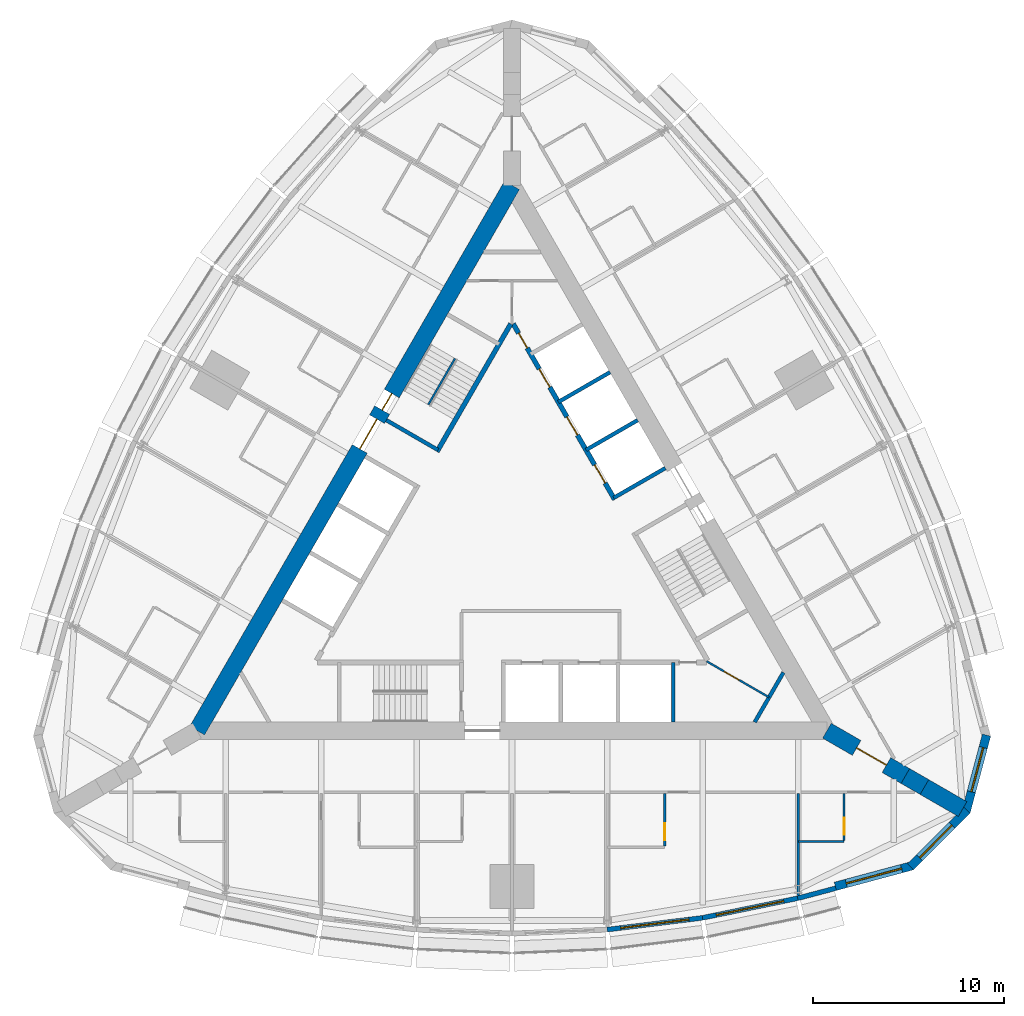
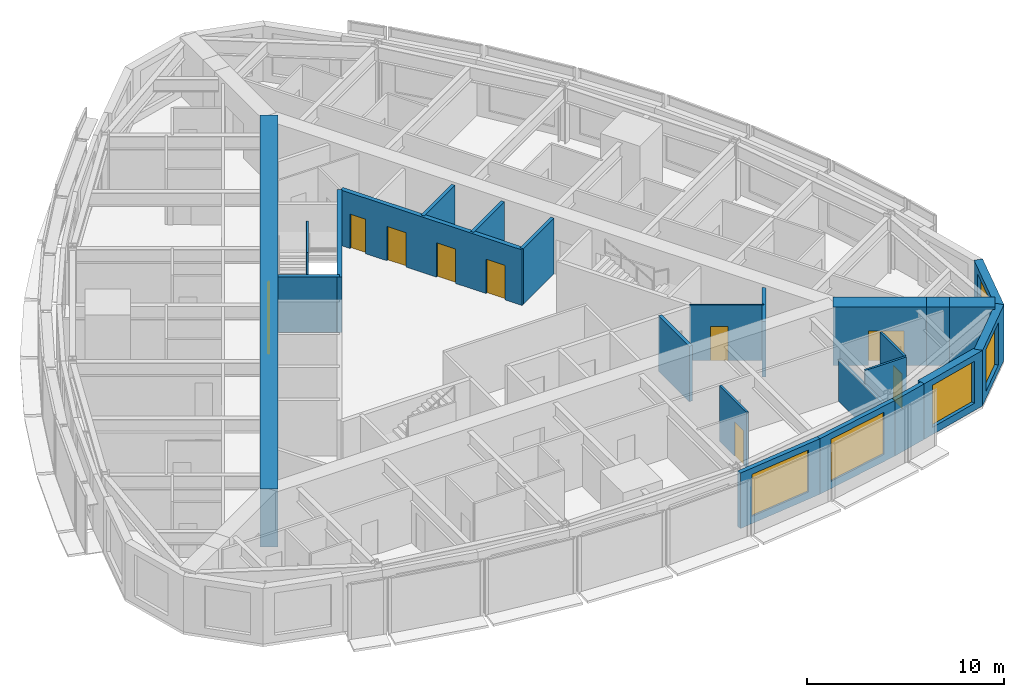
# One storey, part 11 of 15: 24 walls, 10 doors, 5 windows, 15 openings.
"""IFC4 building model written with IfcOpenShell, lengths in metres."""

from ifc_helpers import new_model, si_unit, direction, frame, frame_2d, origin, place, context, subcontext, project, spatial, polyline, rectangle, outline, extrude, material, layer, layer_set, type_object, element, fill, save


model = new_model("IFC4")

# Units and contexts
model_context = context("Model", 3, precision=1e-05, world=origin(), true_north=direction((0.0, 1.0)))
body_context = subcontext(model_context, "Body", "Model", "MODEL_VIEW")
ifc_project = project(units=[si_unit("LENGTHUNIT", "METRE"), si_unit("AREAUNIT", "SQUARE_METRE"), si_unit("VOLUMEUNIT", "CUBIC_METRE"), si_unit("PLANEANGLEUNIT", "RADIAN"), si_unit("MASSUNIT", "GRAM", prefix="KILO")], contexts=[model_context])

# Site, building, storey
site_placement = place(None, origin())
site = spatial("IfcSite", under=ifc_project, at=site_placement, CompositionType="ELEMENT")
building_placement = place(site_placement, origin())
building = spatial("IfcBuilding", under=site, at=building_placement, Name="Trikona Tower", CompositionType="ELEMENT")
storey_placement = place(building_placement, frame((0.0, 0.0, 200.89990234375)))
storey = spatial("IfcBuildingStorey", under=building, at=storey_placement, Name="L53", CompositionType="ELEMENT", Elevation=200.89990234375)

# Wall, opening, door
ifc_material_1 = material(Name="Metal stud and cement board", Category="gypsum")
ifc_layer_1 = layer(ifc_material_1, 0.1201171875)
ifc_layer_set_1 = layer_set([ifc_layer_1], Name="Bathroom wall 120")
wall_type_1 = type_object("IfcWallType", Name="Bathroom wall 120", PredefinedType="PLUMBINGWALL", material=ifc_layer_set_1)
wall_1_placement = place(storey_placement, frame((8.0, -12.826416015625, 0.0), z_axis=(0.0, 0.0, 1.0), x_axis=(0.0, -1.0, 0.0)))
wall_1 = element("IfcWall", 1, at=wall_1_placement, inside=storey, type_object=wall_type_1, Name="Bathroom wall 5304", PredefinedType="PLUMBINGWALL", context=body_context, shape_type="SweptSolid", body=[
    extrude(rectangle(XDim=2.739990234375, YDim=0.1201171875, at=frame_2d((1.3701171875, 0.0))), origin(), (0.0, 0.0, 1.0), 3.43505859375),
])
opening_1_placement = place(wall_1_placement, frame((1.550048828125, 0.0, 0.0)))
opening_1 = element("IfcOpeningElement", 2, at=opening_1_placement, cuts=wall_1, Name="Opening D2", PredefinedType="OPENING", context=body_context, shape_type="SweptSolid", body=[
    extrude(rectangle(XDim=0.89990234375, YDim=2.1298828125, at=frame_2d((0.449951171875, 1.06494140625))), frame((0.0, 0.070068359375, 0.0), z_axis=(0.0, -1.0, 0.0), x_axis=(1.0, 0.0, 0.0)), (0.0, 0.0, 1.0), 0.14013671875),
])
ifc_material_2 = material(Name="Steel door frame with solid-core timber leaf", Category="steel")
door_type_1 = type_object("IfcDoorType", Name="Bathroom door 900x2130", OperationType="SLIDING_TO_LEFT", PredefinedType="DOOR", material=ifc_material_2)
door_1_placement = place(opening_1_placement, origin())
door_1 = element("IfcDoor", 3, at=door_1_placement, inside=storey, type_object=door_type_1, Name="Bathroom door 5304", OperationType="SLIDING_TO_LEFT", OverallHeight=2.1298828125, OverallWidth=0.89990234375, PredefinedType="DOOR", context=body_context, shape_type="SweptSolid", body=[
    extrude(rectangle(XDim=0.89990234375, YDim=2.1298828125, at=frame_2d((0.449951171875, 1.06494140625))), frame((0.0, 0.02490234375, 0.0), z_axis=(0.0, -1.0, 0.0), x_axis=(1.0, 0.0, 0.0)), (0.0, 0.0, 1.0), 0.050048828125),
])
fill(opening_1, door_1)

# Wall
wall_2_placement = place(storey_placement, frame((15.0, -15.326416015625, 0.0), z_axis=(0.0, 0.0, 1.0), x_axis=(1.0, 0.0, 0.0)))
element("IfcWall", 4, at=wall_2_placement, inside=storey, type_object=wall_type_1, Name="Bathroom wall 5305", PredefinedType="PLUMBINGWALL", context=body_context, shape_type="SweptSolid", body=[
    extrude(rectangle(XDim=2.39990234375, YDim=0.1201171875, at=frame_2d((1.199951171875, 0.0))), origin(), (0.0, 0.0, 1.0), 3.43505859375),
])

# Wall, opening, door
wall_3_placement = place(storey_placement, frame((17.39990234375, -12.826416015625, 0.0), z_axis=(0.0, 0.0, 1.0), x_axis=(0.0, -1.0, 0.0)))
wall_3 = element("IfcWall", 5, at=wall_3_placement, inside=storey, type_object=wall_type_1, Name="Bathroom wall 5305", PredefinedType="PLUMBINGWALL", context=body_context, shape_type="SweptSolid", body=[
    extrude(rectangle(XDim=2.43994140625, YDim=0.1201171875, at=frame_2d((1.219970703125, 0.0))), origin(), (0.0, 0.0, 1.0), 3.43505859375),
])
opening_2_placement = place(wall_3_placement, frame((1.25, 0.0, 0.0)))
opening_2 = element("IfcOpeningElement", 6, at=opening_2_placement, cuts=wall_3, Name="Opening D2", PredefinedType="OPENING", context=body_context, shape_type="SweptSolid", body=[
    extrude(rectangle(XDim=0.89990234375, YDim=2.1298828125, at=frame_2d((0.449951171875, 1.06494140625))), frame((0.0, 0.070068359375, 0.0), z_axis=(0.0, -1.0, 0.0), x_axis=(1.0, 0.0, 0.0)), (0.0, 0.0, 1.0), 0.14013671875),
])
door_2_placement = place(opening_2_placement, origin())
door_2 = element("IfcDoor", 7, at=door_2_placement, inside=storey, type_object=door_type_1, Name="Bathroom door 5305", OperationType="SLIDING_TO_LEFT", OverallHeight=2.1298828125, OverallWidth=0.89990234375, PredefinedType="DOOR", context=body_context, shape_type="SweptSolid", body=[
    extrude(rectangle(XDim=0.89990234375, YDim=2.1298828125, at=frame_2d((0.449951171875, 1.06494140625))), frame((0.0, 0.02490234375, 0.0), z_axis=(0.0, -1.0, 0.0), x_axis=(1.0, 0.0, 0.0)), (0.0, 0.0, 1.0), 0.050048828125),
])
fill(opening_2, door_2)

# Wall, opening, window
ifc_material_3 = material(Name="Brick-faced precast concrete", Category="masonry")
ifc_layer_2 = layer(ifc_material_3, 0.449951171875)
ifc_layer_set_2 = layer_set([ifc_layer_2], Name="Brick-faced corner wall 450")
wall_type_2 = type_object("IfcWallType", Name="Brick-faced corner wall 450", PredefinedType="SOLIDWALL", material=ifc_layer_set_2)
wall_4_placement = place(storey_placement, frame((16.94189453125, -17.6806640625, 0.0), z_axis=(0.0, 0.0, 1.0), x_axis=(0.965920442324, 0.258839137498, 0.0)))
wall_4 = element("IfcWall", 8, at=wall_4_placement, inside=storey, type_object=wall_type_2, Name="External wall L53-08", PredefinedType="SOLIDWALL", context=body_context, shape_type="SweptSolid", body=[
    extrude(rectangle(XDim=4.18408203125, YDim=0.449951171875, at=frame_2d((2.092041015625, 0.0))), origin(), (0.0, 0.0, 1.0), 3.43505859375),
])
opening_3_placement = place(wall_4_placement, frame((0.592041015625, 0.0, 0.449951171875)))
opening_3 = element("IfcOpeningElement", 9, at=opening_3_placement, cuts=wall_4, Name="Opening W3026", PredefinedType="OPENING", context=body_context, shape_type="SweptSolid", body=[
    extrude(rectangle(XDim=3.0, YDim=2.60009765625, at=frame_2d((1.5, 1.300048828125))), frame((0.0, 0.23486328125, 0.0), z_axis=(0.0, -1.0, 0.0), x_axis=(1.0, 0.0, 0.0)), (0.0, 0.0, 1.0), 0.469970703125),
])
ifc_material_4 = material(Name="Aluminium-framed double glazing", Category="aluminium")
window_type_1 = type_object("IfcWindowType", Name="Window 3000x2600", PartitioningType="SINGLE_PANEL", PredefinedType="WINDOW", material=ifc_material_4)
window_1_placement = place(opening_3_placement, origin())
window_1 = element("IfcWindow", 10, at=window_1_placement, inside=storey, type_object=window_type_1, Name="Window 5305", OverallHeight=2.60009765625, OverallWidth=3.0, PartitioningType="SINGLE_PANEL", PredefinedType="WINDOW", context=body_context, shape_type="SweptSolid", body=[
    extrude(rectangle(XDim=3.0, YDim=2.60009765625, at=frame_2d((1.5, 1.300048828125))), frame((0.0, 0.030029296875, 0.0), z_axis=(0.0, -1.0, 0.0), x_axis=(1.0, 0.0, 0.0)), (0.0, 0.0, 1.0), 0.06005859375),
])
fill(opening_3, window_1)

wall_5_placement = place(storey_placement, frame((20.88232421875, -16.656005859375, 0.0), z_axis=(0.0, 0.0, 1.0), x_axis=(0.707077605902, 0.707135955267, 0.0)))
wall_5 = element("IfcWall", 11, at=wall_5_placement, inside=storey, type_object=wall_type_2, Name="External wall L53-09", PredefinedType="SOLIDWALL", context=body_context, shape_type="SweptSolid", body=[
    extrude(outline(polyline([(4.18408203125, 0.22509765625), (4.125244140625, 0.22509765625), (3.633056640625, 0.093017578125), (3.59765625, 0.22509765625), (0.0, 0.22509765625), (0.0, -0.22509765625), (4.18408203125, -0.22509765625), (4.18408203125, 0.22509765625)])), origin(), (0.0, 0.0, 1.0), 3.43505859375),
])
opening_4_placement = place(wall_5_placement, frame((0.673828125, 0.0, 0.449951171875)))
opening_4 = element("IfcOpeningElement", 12, at=opening_4_placement, cuts=wall_5, Name="Opening W2426", PredefinedType="OPENING", context=body_context, shape_type="SweptSolid", body=[
    extrude(rectangle(XDim=2.39990234375, YDim=2.60009765625, at=frame_2d((1.199951171875, 1.300048828125))), frame((0.0, 0.23486328125, 0.0), z_axis=(0.0, -1.0, 0.0), x_axis=(1.0, 0.0, 0.0)), (0.0, 0.0, 1.0), 0.469970703125),
])
ifc_material_5 = material(Name="Aluminium-framed double glazing", Category="aluminium")
window_type_2 = type_object("IfcWindowType", Name="Window 2400x2600", PartitioningType="SINGLE_PANEL", PredefinedType="WINDOW", material=ifc_material_5)
window_2_placement = place(opening_4_placement, origin())
window_2 = element("IfcWindow", 13, at=window_2_placement, inside=storey, type_object=window_type_2, Name="Window 5305", OverallHeight=2.60009765625, OverallWidth=2.39990234375, PartitioningType="SINGLE_PANEL", PredefinedType="WINDOW", context=body_context, shape_type="SweptSolid", body=[
    extrude(rectangle(XDim=2.39990234375, YDim=2.60009765625, at=frame_2d((1.199951171875, 1.300048828125))), frame((0.0, 0.030029296875, 0.0), z_axis=(0.0, -1.0, 0.0), x_axis=(1.0, 0.0, 0.0)), (0.0, 0.0, 1.0), 0.06005859375),
])
fill(opening_4, window_2)

wall_6_placement = place(storey_placement, frame((23.78271484375, -13.798095703125, 0.0), z_axis=(0.0, 0.0, 1.0), x_axis=(0.258799282522, 0.96593112144, 0.0)))
wall_6 = element("IfcWall", 14, at=wall_6_placement, inside=storey, type_object=wall_type_2, Name="External wall L53-10", PredefinedType="SOLIDWALL", context=body_context, shape_type="SweptSolid", body=[
    extrude(outline(polyline([(4.183837890625, 0.22509765625), (0.58642578125, 0.22509765625), (0.551025390625, 0.09326171875), (0.059326171875, 0.22509765625), (0.0, 0.22509765625), (0.0, -0.22509765625), (4.183837890625, -0.22509765625), (4.183837890625, 0.22509765625)])), origin(), (0.0, 0.0, 1.0), 3.43505859375),
])
opening_5_placement = place(wall_6_placement, frame((1.110107421875, 0.0, 0.449951171875)))
opening_5 = element("IfcOpeningElement", 15, at=opening_5_placement, cuts=wall_6, Name="Opening W2426", PredefinedType="OPENING", context=body_context, shape_type="SweptSolid", body=[
    extrude(rectangle(XDim=2.39990234375, YDim=2.60009765625, at=frame_2d((1.199951171875, 1.300048828125))), frame((0.0, 0.23486328125, 0.0), z_axis=(0.0, -1.0, 0.0), x_axis=(1.0, 0.0, 0.0)), (0.0, 0.0, 1.0), 0.469970703125),
])
window_3_placement = place(opening_5_placement, origin())
window_3 = element("IfcWindow", 16, at=window_3_placement, inside=storey, type_object=window_type_2, Name="Window 5306", OverallHeight=2.60009765625, OverallWidth=2.39990234375, PartitioningType="SINGLE_PANEL", PredefinedType="WINDOW", context=body_context, shape_type="SweptSolid", body=[
    extrude(rectangle(XDim=2.39990234375, YDim=2.60009765625, at=frame_2d((1.199951171875, 1.300048828125))), frame((0.0, 0.030029296875, 0.0), z_axis=(0.0, -1.0, 0.0), x_axis=(1.0, 0.0, 0.0)), (0.0, 0.0, 1.0), 0.06005859375),
])
fill(opening_5, window_3)

# Wall, opening, door
ifc_material_6 = material(Name="Concrete f'c 10000 psi", Category="concrete")
ifc_layer_3 = layer(ifc_material_6, 0.89990234375)
ifc_layer_set_3 = layer_set([ifc_layer_3], Name="Buttress wall 900")
wall_type_3 = type_object("IfcWallType", Name="Buttress wall 900", PredefinedType="SHEAR", material=ifc_layer_set_3)
wall_7_placement = place(storey_placement, frame((16.5, -9.5263671875, 0.0), z_axis=(0.0, 0.0, 1.0), x_axis=(0.866031398331, -0.499989616998, 0.0)))
wall_7 = element("IfcWall", 17, at=wall_7_placement, inside=storey, type_object=wall_type_3, Name="Buttress wall 1", PredefinedType="SHEAR", context=body_context, shape_type="SweptSolid", body=[
    extrude(rectangle(XDim=4.74609375, YDim=0.89990234375, at=frame_2d((2.373046875, 0.0))), origin(), (0.0, 0.0, 1.0), 3.60009765625),
])
opening_6_placement = place(wall_7_placement, frame((1.800048828125, 0.0, 0.0)))
opening_6 = element("IfcOpeningElement", 18, at=opening_6_placement, cuts=wall_7, Name="Opening D10", PredefinedType="OPENING", context=body_context, shape_type="SweptSolid", body=[
    extrude(rectangle(XDim=1.800048828125, YDim=2.1298828125, at=frame_2d((0.89990234375, 1.06494140625))), frame((0.0, 0.4599609375, 0.0), z_axis=(0.0, -1.0, 0.0), x_axis=(1.0, 0.0, 0.0)), (0.0, 0.0, 1.0), 0.919921875),
])
ifc_material_7 = material(Name="Hollow metal door and frame", Category="steel")
door_type_2 = type_object("IfcDoorType", Name="Cross-corridor door pair 1800x2130", OperationType="DOUBLE_DOOR_DOUBLE_SWING", PredefinedType="DOOR", material=ifc_material_7)
door_3_placement = place(opening_6_placement, origin())
door_3 = element("IfcDoor", 19, at=door_3_placement, inside=storey, type_object=door_type_2, Name="Cross-corridor door 1", OperationType="DOUBLE_DOOR_DOUBLE_SWING", OverallHeight=2.1298828125, OverallWidth=1.800048828125, PredefinedType="DOOR", context=body_context, shape_type="SweptSolid", body=[
    extrude(rectangle(XDim=1.800048828125, YDim=2.1298828125, at=frame_2d((0.89990234375, 1.06494140625))), frame((0.0, 0.02490234375, 0.0), z_axis=(0.0, -1.0, 0.0), x_axis=(1.0, 0.0, 0.0)), (0.0, 0.0, 1.0), 0.050048828125),
])
fill(opening_6, door_3)

# Walls
wall_8_placement = place(storey_placement, frame((20.6103515625, -11.8994140625, 0.0), z_axis=(0.0, 0.0, 1.0), x_axis=(0.866009537788, -0.500027479704, 0.0)))
element("IfcWall", 20, at=wall_8_placement, inside=storey, type_object=wall_type_3, Name="Buttress wall 1 part 2", PredefinedType="SHEAR", context=body_context, shape_type="SweptSolid", body=[
    extrude(rectangle(XDim=1.15478515625, YDim=0.89990234375, at=frame_2d((0.577392578125, 0.0))), origin(), (0.0, 0.0, 1.0), 3.60009765625),
])
wall_9_placement = place(storey_placement, frame((21.6103515625, -12.476806640625, 0.0), z_axis=(0.0, 0.0, 1.0), x_axis=(0.866055313784, -0.499948190782, 0.0)))
element("IfcWall", 21, at=wall_9_placement, inside=storey, type_object=wall_type_3, Name="Buttress wall 1 part 3", PredefinedType="SHEAR", context=body_context, shape_type="SweptSolid", body=[
    extrude(rectangle(XDim=2.309326171875, YDim=0.89990234375, at=frame_2d((1.15478515625, 0.0))), origin(), (0.0, 0.0, 1.0), 3.60009765625),
])

# Wall, openings, doors
ifc_material_8 = material(Name="Concrete f'c 10000 psi", Category="concrete")
ifc_layer_4 = layer(ifc_material_8, 0.89990234375)
ifc_layer_set_4 = layer_set([ifc_layer_4], Name="Core wall 900")
wall_type_4 = type_object("IfcWallType", Name="Core wall 900", PredefinedType="SHEAR", material=ifc_layer_set_4)
wall_10_placement = place(storey_placement, frame((0.0, 19.052490234375, 0.0), z_axis=(0.0, 0.0, 1.0), x_axis=(-0.499999749417, -0.866025548458, 0.0)))
wall_10 = element("IfcWall", 22, at=wall_10_placement, inside=storey, type_object=wall_type_4, Name="Core wall C", PredefinedType="SHEAR", context=body_context, shape_type="SweptSolid", body=[
    extrude(rectangle(XDim=33.0, YDim=0.89990234375, at=frame_2d((16.5, 0.0))), origin(), (0.0, 0.0, 1.0), 3.60009765625),
])
opening_7_placement = place(wall_10_placement, frame((14.14990234375, 0.0, 0.0)))
opening_7 = element("IfcOpeningElement", 23, at=opening_7_placement, cuts=wall_10, Name="Opening D6", PredefinedType="OPENING", context=body_context, shape_type="SweptSolid", body=[
    extrude(rectangle(XDim=1.800048828125, YDim=2.1298828125, at=frame_2d((0.89990234375, 1.06494140625))), frame((0.0, 0.4599609375, 0.0), z_axis=(0.0, -1.0, 0.0), x_axis=(1.0, 0.0, 0.0)), (0.0, 0.0, 1.0), 0.919921875),
])
opening_8_placement = place(wall_10_placement, frame((12.60009765625, 0.0, 0.0)))
opening_8 = element("IfcOpeningElement", 24, at=opening_8_placement, cuts=wall_10, Name="Opening D5", PredefinedType="OPENING", context=body_context, shape_type="SweptSolid", body=[
    extrude(rectangle(XDim=1.0, YDim=2.1298828125, at=frame_2d((0.5, 1.06494140625))), frame((0.0, 0.4599609375, 0.0), z_axis=(0.0, -1.0, 0.0), x_axis=(1.0, 0.0, 0.0)), (0.0, 0.0, 1.0), 0.919921875),
])
ifc_material_9 = material(Name="Hollow metal door and frame", Category="steel")
door_type_3 = type_object("IfcDoorType", Name="Lobby door pair 1800x2130", OperationType="DOUBLE_DOOR_SINGLE_SWING", PredefinedType="DOOR", material=ifc_material_9)
door_4_placement = place(opening_7_placement, origin())
door_4 = element("IfcDoor", 25, at=door_4_placement, inside=storey, type_object=door_type_3, Name="Lift lobby door C", OperationType="DOUBLE_DOOR_SINGLE_SWING", OverallHeight=2.1298828125, OverallWidth=1.800048828125, PredefinedType="DOOR", context=body_context, shape_type="SweptSolid", body=[
    extrude(rectangle(XDim=1.800048828125, YDim=2.1298828125, at=frame_2d((0.89990234375, 1.06494140625))), frame((0.0, 0.02490234375, 0.0), z_axis=(0.0, -1.0, 0.0), x_axis=(1.0, 0.0, 0.0)), (0.0, 0.0, 1.0), 0.050048828125),
])
fill(opening_7, door_4)
ifc_material_10 = material(Name="Hollow metal door and frame", Category="steel")
door_type_4 = type_object("IfcDoorType", Name="Stair door 1000x2130", OperationType="SINGLE_SWING_LEFT", PredefinedType="DOOR", material=ifc_material_10)
door_5_placement = place(opening_8_placement, origin())
door_5 = element("IfcDoor", 26, at=door_5_placement, inside=storey, type_object=door_type_4, Name="Stair C door", OperationType="SINGLE_SWING_RIGHT", OverallHeight=2.1298828125, OverallWidth=1.0, PredefinedType="DOOR", context=body_context, shape_type="SweptSolid", body=[
    extrude(rectangle(XDim=1.0, YDim=2.1298828125, at=frame_2d((0.5, 1.06494140625))), frame((0.0, 0.02490234375, 0.0), z_axis=(0.0, -1.0, 0.0), x_axis=(1.0, 0.0, 0.0)), (0.0, 0.0, 1.0), 0.050048828125),
])
fill(opening_8, door_5)

ifc_material_11 = material(Name="Concrete f'c 8000 psi", Category="concrete")
ifc_layer_5 = layer(ifc_material_11, 0.25)
ifc_layer_set_5 = layer_set([ifc_layer_5], Name="Hub wall 250")
wall_type_5 = type_object("IfcWallType", Name="Hub wall 250", PredefinedType="SOLIDWALL", material=ifc_layer_set_5)
wall_11_placement = place(storey_placement, frame((5.37890625, 2.5859375, 0.0), z_axis=(0.0, 0.0, 1.0), x_axis=(-0.500001375892, 0.866024609411, 0.0)))
wall_11 = element("IfcWall", 27, at=wall_11_placement, inside=storey, type_object=wall_type_5, Name="Lift lobby wall B2", PredefinedType="SOLIDWALL", context=body_context, shape_type="SweptSolid", body=[
    extrude(rectangle(XDim=10.6328125, YDim=0.25, at=frame_2d((5.31640625, 0.0))), origin(), (0.0, 0.0, 1.0), 3.43505859375),
])
opening_9_placement = place(wall_11_placement, frame((9.1640625, 0.0, 0.0)))
opening_9 = element("IfcOpeningElement", 28, at=opening_9_placement, cuts=wall_11, Name="Opening D14", PredefinedType="OPENING", context=body_context, shape_type="SweptSolid", body=[
    extrude(rectangle(XDim=0.89990234375, YDim=2.1298828125, at=frame_2d((0.449951171875, 1.06494140625))), frame((0.0, 0.135009765625, 0.0), z_axis=(0.0, -1.0, 0.0), x_axis=(1.0, 0.0, 0.0)), (0.0, 0.0, 1.0), 0.27001953125),
])
opening_10_placement = place(wall_11_placement, frame((1.0, 0.0, 0.0)))
opening_10 = element("IfcOpeningElement", 29, at=opening_10_placement, cuts=wall_11, Name="Opening LD", PredefinedType="OPENING", context=body_context, shape_type="SweptSolid", body=[
    extrude(rectangle(XDim=1.10009765625, YDim=2.1298828125, at=frame_2d((0.550048828125, 1.06494140625))), frame((0.0, 0.135009765625, 0.0), z_axis=(0.0, -1.0, 0.0), x_axis=(1.0, 0.0, 0.0)), (0.0, 0.0, 1.0), 0.27001953125),
])
opening_11_placement = place(wall_11_placement, frame((3.89990234375, 0.0, 0.0)))
opening_11 = element("IfcOpeningElement", 30, at=opening_11_placement, cuts=wall_11, Name="Opening LD", PredefinedType="OPENING", context=body_context, shape_type="SweptSolid", body=[
    extrude(rectangle(XDim=1.10009765625, YDim=2.1298828125, at=frame_2d((0.550048828125, 1.06494140625))), frame((0.0, 0.135009765625, 0.0), z_axis=(0.0, -1.0, 0.0), x_axis=(1.0, 0.0, 0.0)), (0.0, 0.0, 1.0), 0.27001953125),
])
opening_12_placement = place(wall_11_placement, frame((6.800048828125, 0.0, 0.0)))
opening_12 = element("IfcOpeningElement", 31, at=opening_12_placement, cuts=wall_11, Name="Opening LD", PredefinedType="OPENING", context=body_context, shape_type="SweptSolid", body=[
    extrude(rectangle(XDim=1.10009765625, YDim=2.1298828125, at=frame_2d((0.550048828125, 1.06494140625))), frame((0.0, 0.135009765625, 0.0), z_axis=(0.0, -1.0, 0.0), x_axis=(1.0, 0.0, 0.0)), (0.0, 0.0, 1.0), 0.27001953125),
])
ifc_material_12 = material(Name="Stainless steel lift landing door", Category="steel")
door_type_5 = type_object("IfcDoorType", Name="Lift landing door 1100x2130", OperationType="DOUBLE_DOOR_SLIDING", PredefinedType="USERDEFINED", material=ifc_material_12)
door_6_placement = place(opening_10_placement, origin())
door_6 = element("IfcDoor", 32, at=door_6_placement, inside=storey, type_object=door_type_5, Name="Lift landing door L3-1", ObjectType="LIFT LANDING DOOR", OperationType="DOUBLE_DOOR_SLIDING", OverallHeight=2.1298828125, OverallWidth=1.10009765625, PredefinedType="USERDEFINED", context=body_context, shape_type="SweptSolid", body=[
    extrude(rectangle(XDim=1.10009765625, YDim=2.1298828125, at=frame_2d((0.550048828125, 1.06494140625))), frame((0.0, 0.02490234375, 0.0), z_axis=(0.0, -1.0, 0.0), x_axis=(1.0, 0.0, 0.0)), (0.0, 0.0, 1.0), 0.050048828125),
])
fill(opening_10, door_6)
door_7_placement = place(opening_11_placement, origin())
door_7 = element("IfcDoor", 33, at=door_7_placement, inside=storey, type_object=door_type_5, Name="Lift landing door L3-2", ObjectType="LIFT LANDING DOOR", OperationType="DOUBLE_DOOR_SLIDING", OverallHeight=2.1298828125, OverallWidth=1.10009765625, PredefinedType="USERDEFINED", context=body_context, shape_type="SweptSolid", body=[
    extrude(rectangle(XDim=1.10009765625, YDim=2.1298828125, at=frame_2d((0.550048828125, 1.06494140625))), frame((0.0, 0.02490234375, 0.0), z_axis=(0.0, -1.0, 0.0), x_axis=(1.0, 0.0, 0.0)), (0.0, 0.0, 1.0), 0.050048828125),
])
fill(opening_11, door_7)
door_8_placement = place(opening_12_placement, origin())
door_8 = element("IfcDoor", 34, at=door_8_placement, inside=storey, type_object=door_type_5, Name="Lift landing door L3-3", ObjectType="LIFT LANDING DOOR", OperationType="DOUBLE_DOOR_SLIDING", OverallHeight=2.1298828125, OverallWidth=1.10009765625, PredefinedType="USERDEFINED", context=body_context, shape_type="SweptSolid", body=[
    extrude(rectangle(XDim=1.10009765625, YDim=2.1298828125, at=frame_2d((0.550048828125, 1.06494140625))), frame((0.0, 0.02490234375, 0.0), z_axis=(0.0, -1.0, 0.0), x_axis=(1.0, 0.0, 0.0)), (0.0, 0.0, 1.0), 0.050048828125),
])
fill(opening_12, door_8)
ifc_material_13 = material(Name="Hollow metal door and frame", Category="steel")
door_type_6 = type_object("IfcDoorType", Name="Service room door 900x2130", OperationType="SINGLE_SWING_LEFT", PredefinedType="DOOR", material=ifc_material_13)
door_9_placement = place(opening_9_placement, origin())
door_9 = element("IfcDoor", 35, at=door_9_placement, inside=storey, type_object=door_type_6, Name="Door Housekeeping store HKS", OperationType="SINGLE_SWING_RIGHT", OverallHeight=2.1298828125, OverallWidth=0.89990234375, PredefinedType="DOOR", context=body_context, shape_type="SweptSolid", body=[
    extrude(rectangle(XDim=0.89990234375, YDim=2.1298828125, at=frame_2d((0.449951171875, 1.06494140625))), frame((0.0, 0.02490234375, 0.0), z_axis=(0.0, -1.0, 0.0), x_axis=(1.0, 0.0, 0.0)), (0.0, 0.0, 1.0), 0.050048828125),
])
fill(opening_9, door_9)

# Wall
wall_12_placement = place(storey_placement, frame((-0.0625, 11.794189453125, 0.0), z_axis=(0.0, 0.0, 1.0), x_axis=(-0.500006680225, -0.86602154692, 0.0)))
element("IfcWall", 36, at=wall_12_placement, inside=storey, type_object=wall_type_5, Name="Lift lobby wall C1", PredefinedType="SOLIDWALL", context=body_context, shape_type="SweptSolid", body=[
    extrude(rectangle(XDim=7.73291015625, YDim=0.25, at=frame_2d((3.866455078125, 0.0))), origin(), (0.0, 0.0, 1.0), 3.43505859375),
])

# Wall, opening, window
ifc_material_14 = material(Name="Insulated precast concrete spandrel panel", Category="concrete")
ifc_layer_6 = layer(ifc_material_14, 0.25)
ifc_layer_set_6 = layer_set([ifc_layer_6], Name="Inner skin wall 250")
wall_type_6 = type_object("IfcWallType", Name="Inner skin wall 250", PredefinedType="STANDARD", material=ifc_layer_set_6)
wall_13_placement = place(storey_placement, frame((4.984619140625, -19.947998046875, 0.0), z_axis=(0.0, 0.0, 1.0), x_axis=(0.992449874964, 0.12265090984, 0.0)))
wall_13 = element("IfcWall", 37, at=wall_13_placement, inside=storey, type_object=wall_type_6, Name="External wall L53-05", PredefinedType="STANDARD", context=body_context, shape_type="SweptSolid", body=[
    extrude(rectangle(XDim=5.0380859375, YDim=0.25, at=frame_2d((2.51904296875, 0.0))), origin(), (0.0, 0.0, 1.0), 3.43505859375),
])
opening_13_placement = place(wall_13_placement, frame((0.718994140625, 0.0, 0.449951171875)))
opening_13 = element("IfcOpeningElement", 38, at=opening_13_placement, cuts=wall_13, Name="Opening W3626", PredefinedType="OPENING", context=body_context, shape_type="SweptSolid", body=[
    extrude(rectangle(XDim=3.60009765625, YDim=2.60009765625, at=frame_2d((1.800048828125, 1.300048828125))), frame((0.0, 0.135009765625, 0.0), z_axis=(0.0, -1.0, 0.0), x_axis=(1.0, 0.0, 0.0)), (0.0, 0.0, 1.0), 0.27001953125),
])
ifc_material_15 = material(Name="Aluminium-framed double glazing", Category="aluminium")
window_type_3 = type_object("IfcWindowType", Name="Window 3600x2600", PartitioningType="SINGLE_PANEL", PredefinedType="WINDOW", material=ifc_material_15)
window_4_placement = place(opening_13_placement, origin())
window_4 = element("IfcWindow", 39, at=window_4_placement, inside=storey, type_object=window_type_3, Name="Window 5304", OverallHeight=2.60009765625, OverallWidth=3.60009765625, PartitioningType="SINGLE_PANEL", PredefinedType="WINDOW", context=body_context, shape_type="SweptSolid", body=[
    extrude(rectangle(XDim=3.60009765625, YDim=2.60009765625, at=frame_2d((1.800048828125, 1.300048828125))), frame((0.0, 0.030029296875, 0.0), z_axis=(0.0, -1.0, 0.0), x_axis=(1.0, 0.0, 0.0)), (0.0, 0.0, 1.0), 0.06005859375),
])
fill(opening_13, window_4)

wall_14_placement = place(storey_placement, frame((9.974853515625, -19.331787109375, 0.0), z_axis=(0.0, 0.0, 1.0), x_axis=(0.979461488189, 0.201631329795, 0.0)))
wall_14 = element("IfcWall", 40, at=wall_14_placement, inside=storey, type_object=wall_type_6, Name="External wall L53-06", PredefinedType="STANDARD", context=body_context, shape_type="SweptSolid", body=[
    extrude(rectangle(XDim=5.104736328125, YDim=0.25, at=frame_2d((2.55224609375, 0.0))), origin(), (0.0, 0.0, 1.0), 3.43505859375),
])
opening_14_placement = place(wall_14_placement, frame((0.75244140625, 0.0, 0.449951171875)))
opening_14 = element("IfcOpeningElement", 41, at=opening_14_placement, cuts=wall_14, Name="Opening W3626", PredefinedType="OPENING", context=body_context, shape_type="SweptSolid", body=[
    extrude(rectangle(XDim=3.60009765625, YDim=2.60009765625, at=frame_2d((1.800048828125, 1.300048828125))), frame((0.0, 0.135009765625, 0.0), z_axis=(0.0, -1.0, 0.0), x_axis=(1.0, 0.0, 0.0)), (0.0, 0.0, 1.0), 0.27001953125),
])
window_5_placement = place(opening_14_placement, origin())
window_5 = element("IfcWindow", 42, at=window_5_placement, inside=storey, type_object=window_type_3, Name="Window 5304", OverallHeight=2.60009765625, OverallWidth=3.60009765625, PartitioningType="SINGLE_PANEL", PredefinedType="WINDOW", context=body_context, shape_type="SweptSolid", body=[
    extrude(rectangle(XDim=3.60009765625, YDim=2.60009765625, at=frame_2d((1.800048828125, 1.300048828125))), frame((0.0, 0.030029296875, 0.0), z_axis=(0.0, -1.0, 0.0), x_axis=(1.0, 0.0, 0.0)), (0.0, 0.0, 1.0), 0.06005859375),
])
fill(opening_14, window_5)

# Walls
wall_15_placement = place(storey_placement, frame((14.968017578125, -18.303955078125, 0.0), z_axis=(0.0, 0.0, 1.0), x_axis=(0.967010286052, 0.254737328772, 0.0)))
element("IfcWall", 43, at=wall_15_placement, inside=storey, type_object=wall_type_6, Name="External wall L53-07", PredefinedType="STANDARD", context=body_context, shape_type="SweptSolid", body=[
    extrude(rectangle(XDim=2.068115234375, YDim=0.25, at=frame_2d((1.0341796875, 0.0))), origin(), (0.0, 0.0, 1.0), 3.43505859375),
])
ifc_material_16 = material(Name="Metal stud and gypsum board, 1-hour acoustic", Category="gypsum")
ifc_layer_7 = layer(ifc_material_16, 0.14990234375)
ifc_layer_set_7 = layer_set([ifc_layer_7], Name="Party wall 150")
wall_type_7 = type_object("IfcWallType", Name="Party wall 150", PredefinedType="PARTITIONING", material=ifc_layer_set_7)
wall_16_placement = place(storey_placement, frame((15.0, -12.826416015625, 0.0), z_axis=(0.0, 0.0, 1.0), x_axis=(0.0, -1.0, 0.0)))
element("IfcWall", 44, at=wall_16_placement, inside=storey, type_object=wall_type_7, Name="Partition L53 F1 u15", PredefinedType="PARTITIONING", context=body_context, shape_type="SweptSolid", body=[
    extrude(rectangle(XDim=5.340087890625, YDim=0.14990234375, at=frame_2d((2.669921875, 0.0))), origin(), (0.0, 0.0, 1.0), 2.58935546875),
])
ifc_material_17 = material(Name="Concrete f'c 8000 psi", Category="concrete")
ifc_layer_8 = layer(ifc_material_17, 0.199951171875)
ifc_layer_set_8 = layer_set([ifc_layer_8], Name="Shaft wall 200")
wall_type_8 = type_object("IfcWallType", Name="Shaft wall 200", PredefinedType="SOLIDWALL", material=ifc_layer_set_8)
for number, where, z_axis, x_axis, name in (
    (45, (8.449951171875, -5.951416015625, 0.0), (0.0, 0.0, 1.0), (0.0, -1.0, 0.0), "Shaft wall A6"),
    (46, (5.3291015625, 2.672607421875, 0.0), (0.0, 0.0, 1.0), (0.866022959057, 0.500004234368, 0.0), "Shaft wall B3"),
    (47, (3.87890625, 5.18408203125, 0.0), (0.0, 0.0, 1.0), (0.866022959057, 0.500004234368, 0.0), "Shaft wall B4"),
    (48, (2.428955078125, 7.695556640625, 0.0), (0.0, 0.0, 1.0), (0.866022959057, 0.500004234368, 0.0), "Shaft wall B5"),
):
    element("IfcWall", number, at=place(storey_placement, frame(where, z_axis=z_axis, x_axis=x_axis)), inside=storey, type_object=wall_type_8, Name=name, PredefinedType="SOLIDWALL", context=body_context, shape_type="SweptSolid", body=[
        extrude(rectangle(XDim=3.125, YDim=0.199951171875, at=frame_2d((1.5625, 0.0))), origin(), (0.0, 0.0, 1.0), 3.43505859375),
    ])
wall_17_placement = place(storey_placement, frame((14.219482421875, -6.476318359375, 0.0), z_axis=(0.0, 0.0, 1.0), x_axis=(-0.499952404951, -0.866052881055, 0.0)))
element("IfcWall", 49, at=wall_17_placement, inside=storey, type_object=wall_type_8, Name="Riser wall L53-RS1", PredefinedType="SOLIDWALL", context=body_context, shape_type="SweptSolid", body=[
    extrude(rectangle(XDim=3.002197265625, YDim=0.199951171875, at=frame_2d((1.5009765625, 0.0))), origin(), (0.0, 0.0, 1.0), 3.43505859375),
])
ifc_material_18 = material(Name="Concrete f'c 8000 psi", Category="concrete")
ifc_layer_9 = layer(ifc_material_18, 0.199951171875)
ifc_layer_set_9 = layer_set([ifc_layer_9], Name="Shaft wall 200 load-bearing")
wall_type_9 = type_object("IfcWallType", Name="Shaft wall 200 load-bearing", PredefinedType="SOLIDWALL", material=ifc_layer_set_9)
wall_18_placement = place(storey_placement, frame((-3.87890625, 5.18408203125, 0.0), z_axis=(0.0, 0.0, 1.0), x_axis=(-0.866022959057, 0.500004234368, 0.0)))
element("IfcWall", 50, at=wall_18_placement, inside=storey, type_object=wall_type_9, Name="Shaft wall C2", PredefinedType="SOLIDWALL", context=body_context, shape_type="SweptSolid", body=[
    extrude(rectangle(XDim=3.125, YDim=0.199951171875, at=frame_2d((1.5625, 0.0))), origin(), (0.0, 0.0, 1.0), 3.43505859375),
])
ifc_material_19 = material(Name="Concrete f'c 5000 psi", Category="concrete")
ifc_layer_10 = layer(ifc_material_19, 0.10009765625)
ifc_layer_set_10 = layer_set([ifc_layer_10], Name="Stair spine wall 100")
wall_type_10 = type_object("IfcWallType", Name="Stair spine wall 100", PredefinedType="SOLIDWALL", material=ifc_layer_set_10)
wall_19_placement = place(storey_placement, frame((-2.98779296875, 9.9775390625, 0.0), z_axis=(0.0, 0.0, 1.0), x_axis=(-0.499992232847, -0.866029888106, 0.0)))
element("IfcWall", 51, at=wall_19_placement, inside=storey, type_object=wall_type_10, Name="Stair C spine wall L53", PredefinedType="SOLIDWALL", context=body_context, shape_type="SweptSolid", body=[
    extrude(rectangle(XDim=2.7939453125, YDim=0.10009765625, at=frame_2d((1.39697265625, 0.0))), origin(), (0.0, 0.0, 1.0), 3.60009765625),
])

# Wall, opening, door
ifc_material_20 = material(Name="Metal stud and gypsum board, acoustic", Category="gypsum")
ifc_layer_11 = layer(ifc_material_20, 0.10009765625)
ifc_layer_set_11 = layer_set([ifc_layer_11], Name="Suite partition 100")
wall_type_11 = type_object("IfcWallType", Name="Suite partition 100", PredefinedType="PARTITIONING", material=ifc_layer_set_11)
wall_20_placement = place(storey_placement, frame((13.468994140625, -7.7763671875, 0.0), z_axis=(0.0, 0.0, 1.0), x_axis=(-0.866021898093, 0.500006071987, 0.0)))
wall_20 = element("IfcWall", 52, at=wall_20_placement, inside=storey, type_object=wall_type_11, Name="Store partition L53-RS1", PredefinedType="PARTITIONING", context=body_context, shape_type="SweptSolid", body=[
    extrude(rectangle(XDim=3.775390625, YDim=0.10009765625, at=frame_2d((1.8876953125, 0.0))), origin(), (0.0, 0.0, 1.0), 3.43505859375),
])
opening_15_placement = place(wall_20_placement, frame((1.815185546875, 0.0, 0.0)))
opening_15 = element("IfcOpeningElement", 53, at=opening_15_placement, cuts=wall_20, Name="Opening D15", PredefinedType="OPENING", context=body_context, shape_type="SweptSolid", body=[
    extrude(rectangle(XDim=0.89990234375, YDim=2.1298828125, at=frame_2d((0.449951171875, 1.06494140625))), frame((0.0, 0.06005859375, 0.0), z_axis=(0.0, -1.0, 0.0), x_axis=(1.0, 0.0, 0.0)), (0.0, 0.0, 1.0), 0.1201171875),
])
ifc_material_21 = material(Name="Steel door frame with solid-core timber leaf", Category="steel")
door_type_7 = type_object("IfcDoorType", Name="Store door 900x2130", OperationType="SINGLE_SWING_LEFT", PredefinedType="DOOR", material=ifc_material_21)
door_10_placement = place(opening_15_placement, origin())
door_10 = element("IfcDoor", 54, at=door_10_placement, inside=storey, type_object=door_type_7, Name="Door Minibar store MBS", OperationType="SINGLE_SWING_RIGHT", OverallHeight=2.1298828125, OverallWidth=0.89990234375, PredefinedType="DOOR", context=body_context, shape_type="SweptSolid", body=[
    extrude(rectangle(XDim=0.89990234375, YDim=2.1298828125, at=frame_2d((0.449951171875, 1.06494140625))), frame((0.0, 0.02490234375, 0.0), z_axis=(0.0, -1.0, 0.0), x_axis=(1.0, 0.0, 0.0)), (0.0, 0.0, 1.0), 0.050048828125),
])
fill(opening_15, door_10)

save(model, "model.ifc")
